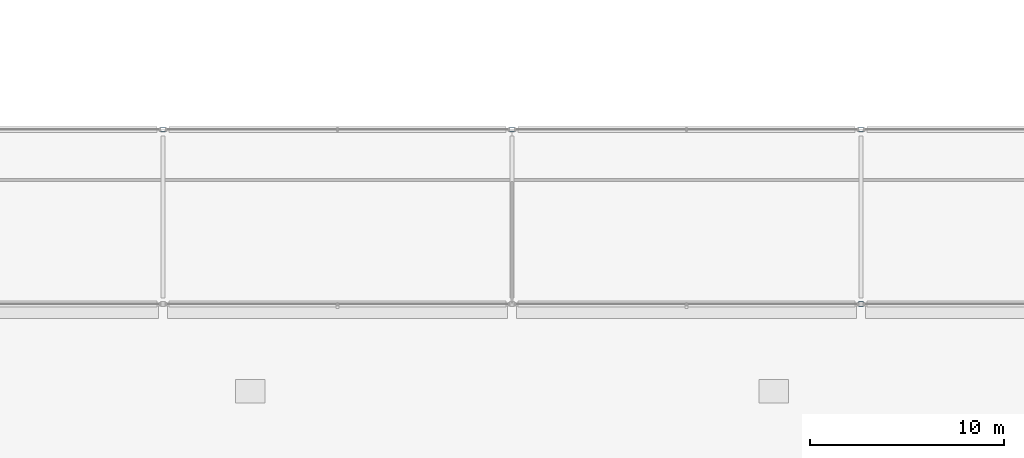
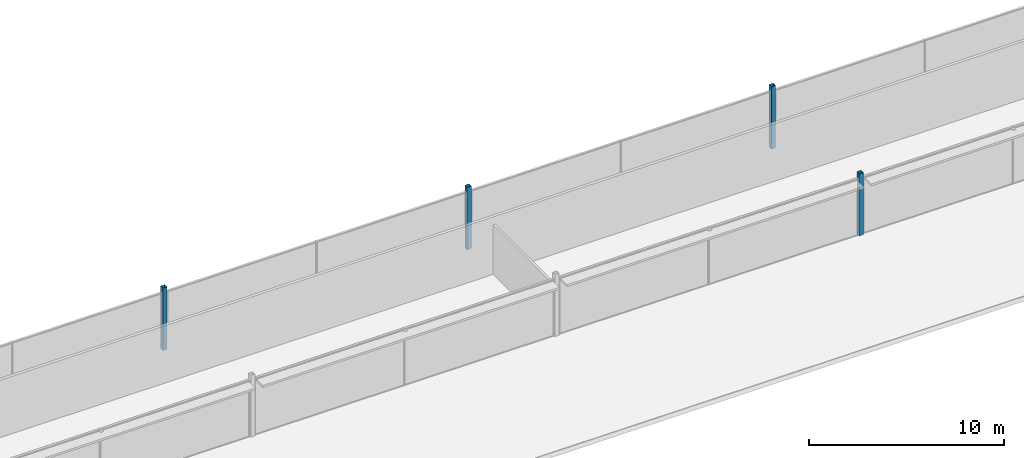
# One storey, part 9 of 105: 4 columns.
"""IFC4 building model written with IfcOpenShell, lengths in metres."""

from ifc_helpers import new_model, si_unit, direction, frame, origin, origin_2d, place, context, subcontext, project, spatial, hollow_rectangle, extrude, material, material_profile, profile_set, type_object, element, save


model = new_model("IFC4")

# Units and contexts
model_context = context("Model", 3, precision=1e-05, world=origin(), true_north=direction((0.0, 1.0)))
body_context = subcontext(model_context, "Body", "Model", "MODEL_VIEW")
ifc_project = project(units=[si_unit("LENGTHUNIT", "METRE"), si_unit("AREAUNIT", "SQUARE_METRE"), si_unit("VOLUMEUNIT", "CUBIC_METRE"), si_unit("PLANEANGLEUNIT", "RADIAN"), si_unit("MASSUNIT", "GRAM", prefix="KILO")], contexts=[model_context])

# Site, building, storey
site_placement = place(None, origin())
site = spatial("IfcSite", under=ifc_project, at=site_placement, CompositionType="ELEMENT")
building_placement = place(site_placement, origin())
building = spatial("IfcBuilding", under=site, at=building_placement, Name="Kisiwana Market Hall", CompositionType="ELEMENT")
storey_placement = place(building_placement, frame((0.0, 0.0, 21.60009765625)))
storey = spatial("IfcBuildingStorey", under=building, at=storey_placement, Name="L04", CompositionType="ELEMENT", Elevation=21.60009765625)

# Columns
ifc_material = material(Name="Steel S355", Category="steel")
ifc_material_profile = material_profile(ifc_material, hollow_rectangle(XDim=0.25, YDim=0.25, WallThickness=0.012451171875, at=origin_2d()), Name="SHS 250x250x12.5")
ifc_profile_set = profile_set([ifc_material_profile], Name="Steel S355")
column_type = type_object("IfcColumnType", Name="COL-STL-SHS250", PredefinedType="COLUMN", material=ifc_profile_set)
for number, where, z_axis, x_axis, name in (
    (1, (81.0, 102.0, 0.0), (0.0, 0.0, 1.0), (1.0, 0.0, 0.0), "Column N/10 (L04) C-0830"),
    (2, (99.0, 102.0, 0.0), (0.0, 0.0, 1.0), (1.0, 0.0, 0.0), "Column N/12 (L04) C-0834"),
    (3, (117.0, 93.0, 0.0), (0.0, 0.0, 1.0), (1.0, 0.0, 0.0), "Column M/14 (L04) C-0837"),
    (4, (117.0, 102.0, 0.0), (0.0, 0.0, 1.0), (1.0, 0.0, 0.0), "Column N/14 (L04) C-0838"),
):
    element("IfcColumn", number, at=place(storey_placement, frame(where, z_axis=z_axis, x_axis=x_axis)), inside=storey, type_object=column_type, Name=name, PredefinedType="COLUMN", context=body_context, shape_type="SweptSolid", body=[
        extrude(hollow_rectangle(XDim=0.25, YDim=0.25, WallThickness=0.012451171875, at=origin_2d()), origin(), (0.0, 0.0, 1.0), 3.89990234375),
    ])

save(model, "model.ifc")
